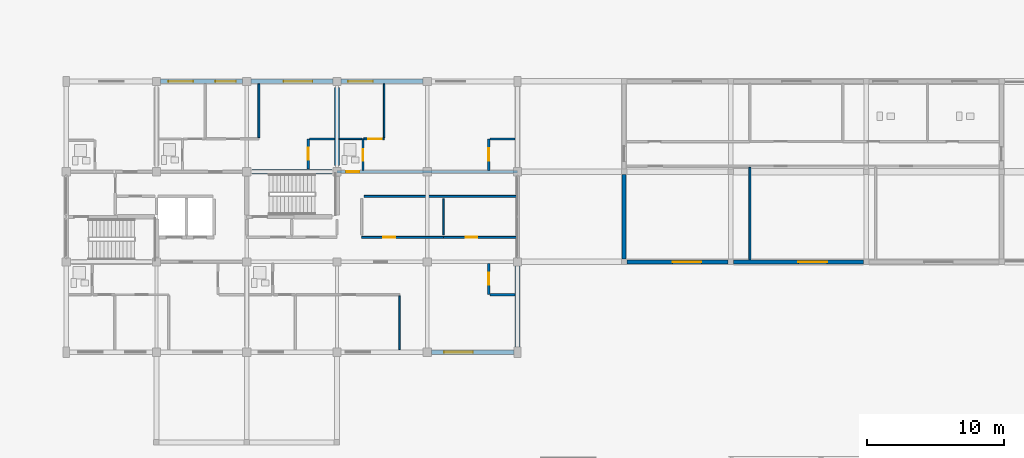
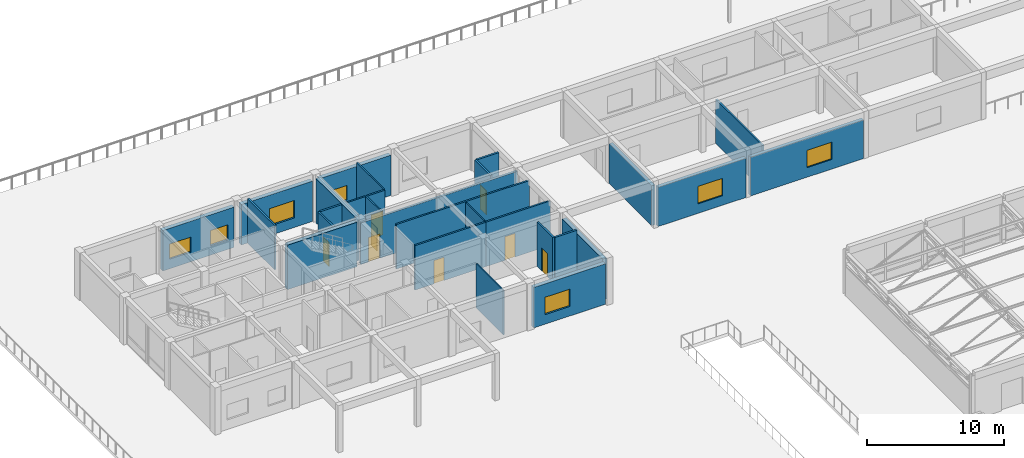
# One storey, part 73 of 92: 28 walls, 8 doors, 7 windows, 15 openings.
"""IFC4 building model written with IfcOpenShell, lengths in metres."""

from ifc_helpers import new_model, si_unit, direction, frame, frame_2d, origin, place, context, subcontext, project, spatial, rectangle, extrude, material, layer, layer_set, type_object, element, fill, save


model = new_model("IFC4")

# Units and contexts
model_context = context("Model", 3, precision=1e-05, world=origin(), true_north=direction((0.0, 1.0)))
body_context = subcontext(model_context, "Body", "Model", "MODEL_VIEW")
ifc_project = project(units=[si_unit("LENGTHUNIT", "METRE"), si_unit("AREAUNIT", "SQUARE_METRE"), si_unit("VOLUMEUNIT", "CUBIC_METRE"), si_unit("PLANEANGLEUNIT", "RADIAN"), si_unit("MASSUNIT", "GRAM", prefix="KILO")], contexts=[model_context])

# Site, building, storey
site_placement = place(None, origin())
site = spatial("IfcSite", under=ifc_project, at=site_placement, CompositionType="ELEMENT")
building_placement = place(site_placement, origin())
building = spatial("IfcBuilding", under=site, at=building_placement, Name="Kernevlak Ridge Housing Community", CompositionType="ELEMENT")
storey_placement = place(building_placement, frame((0.0, 0.0, 4.199951171875)))
storey = spatial("IfcBuildingStorey", under=building, at=storey_placement, Name="L01", CompositionType="ELEMENT", Elevation=4.199951171875)

# Wall, opening, window
ifc_material_1 = material(Name="Concrete block masonry M10", Category="masonry")
ifc_layer_1 = layer(ifc_material_1, 0.280029296875, Name="Concrete block masonry M10")
ifc_layer_set_1 = layer_set([ifc_layer_1], Name="Concrete block masonry M10")
wall_type_1 = type_object("IfcWallType", Name="EW-03", PredefinedType="STANDARD", material=ifc_layer_set_1)
wall_1_placement = place(storey_placement, frame((56.60009765625, 82.60009765625, 0.0), z_axis=(0.0, 0.0, 1.0), x_axis=(1.0, 0.0, 0.0)))
wall_1 = element("IfcWall", 1, at=wall_1_placement, inside=storey, type_object=wall_type_1, Name="Exterior wall EW-03 L01 919", PredefinedType="STANDARD", context=body_context, shape_type="SweptSolid", body=[
    extrude(rectangle(XDim=7.39990234375, YDim=0.280029296875, at=frame_2d((3.699951171875, 0.0))), origin(), (0.0, 0.0, 1.0), 3.5),
])
opening_1_placement = place(wall_1_placement, frame((3.35009765625, 0.0, 0.85009765625)))
opening_1 = element("IfcOpeningElement", 2, at=opening_1_placement, cuts=wall_1, Name="Opening WT-05", PredefinedType="OPENING", context=body_context, shape_type="SweptSolid", body=[
    extrude(rectangle(XDim=2.10009765625, YDim=1.550048828125, at=frame_2d((1.050048828125, 0.77490234375))), frame((0.0, 0.14990234375, 0.0), z_axis=(0.0, -1.0, 0.0), x_axis=(1.0, 0.0, 0.0)), (0.0, 0.0, 1.0), 0.300048828125),
])
ifc_material_2 = material(Name="Aluminium EN AW-6060 anodised and laminated glass", Category="aluminium")
window_type_1 = type_object("IfcWindowType", Name="WT-05", PartitioningType="SINGLE_PANEL", PredefinedType="WINDOW", material=ifc_material_2)
window_1_placement = place(opening_1_placement, origin())
window_1 = element("IfcWindow", 3, at=window_1_placement, inside=storey, type_object=window_type_1, Name="Window WT-05 L01 699", OverallHeight=1.550048828125, OverallWidth=2.10009765625, PartitioningType="SINGLE_PANEL", PredefinedType="WINDOW", context=body_context, shape_type="SweptSolid", body=[
    extrude(rectangle(XDim=2.10009765625, YDim=1.550048828125, at=frame_2d((1.050048828125, 0.77490234375))), frame((0.0, 0.030029296875, 0.0), z_axis=(0.0, -1.0, 0.0), x_axis=(1.0, 0.0, 0.0)), (0.0, 0.0, 1.0), 0.06005859375),
])
fill(opening_1, window_1)

wall_2_placement = place(storey_placement, frame((64.39990234375, 82.60009765625, 0.0), z_axis=(0.0, 0.0, 1.0), x_axis=(1.0, 0.0, 0.0)))
wall_2 = element("IfcWall", 4, at=wall_2_placement, inside=storey, type_object=wall_type_1, Name="Exterior wall EW-03 L01 921", PredefinedType="STANDARD", context=body_context, shape_type="SweptSolid", body=[
    extrude(rectangle(XDim=9.5, YDim=0.280029296875, at=frame_2d((4.75, 0.0))), origin(), (0.0, 0.0, 1.0), 3.449951171875),
])
opening_2_placement = place(wall_2_placement, frame((4.75, 0.0, 0.85009765625)))
opening_2 = element("IfcOpeningElement", 5, at=opening_2_placement, cuts=wall_2, Name="Opening WT-05", PredefinedType="OPENING", context=body_context, shape_type="SweptSolid", body=[
    extrude(rectangle(XDim=2.10009765625, YDim=1.550048828125, at=frame_2d((1.050048828125, 0.77490234375))), frame((0.0, 0.14990234375, 0.0), z_axis=(0.0, -1.0, 0.0), x_axis=(1.0, 0.0, 0.0)), (0.0, 0.0, 1.0), 0.300048828125),
])
window_2_placement = place(opening_2_placement, origin())
window_2 = element("IfcWindow", 6, at=window_2_placement, inside=storey, type_object=window_type_1, Name="Window WT-05 L01 700", OverallHeight=1.550048828125, OverallWidth=2.10009765625, PartitioningType="SINGLE_PANEL", PredefinedType="WINDOW", context=body_context, shape_type="SweptSolid", body=[
    extrude(rectangle(XDim=2.10009765625, YDim=1.550048828125, at=frame_2d((1.050048828125, 0.77490234375))), frame((0.0, 0.030029296875, 0.0), z_axis=(0.0, -1.0, 0.0), x_axis=(1.0, 0.0, 0.0)), (0.0, 0.0, 1.0), 0.06005859375),
])
fill(opening_2, window_2)

# Wall
wall_3_placement = place(storey_placement, frame((56.39990234375, 82.800048828125, 0.0), z_axis=(0.0, 0.0, 1.0), x_axis=(0.0, 1.0, 0.0)))
element("IfcWall", 7, at=wall_3_placement, inside=storey, type_object=wall_type_1, Name="Exterior wall EW-03 L01 925", PredefinedType="STANDARD", context=body_context, shape_type="SweptSolid", body=[
    extrude(rectangle(XDim=6.199951171875, YDim=0.280029296875, at=frame_2d((3.10009765625, 0.0))), origin(), (0.0, 0.0, 1.0), 3.550048828125),
])

# Wall, opening, window
ifc_layer_2 = layer(ifc_material_1, 0.340087890625, Name="Concrete block masonry M10")
ifc_layer_set_2 = layer_set([ifc_layer_2], Name="Concrete block masonry M10")
wall_type_2 = type_object("IfcWallType", Name="EW-04", PredefinedType="STANDARD", material=ifc_layer_set_2)
wall_4_placement = place(storey_placement, frame((42.300048828125, 76.0, 0.0), z_axis=(0.0, 0.0, 1.0), x_axis=(1.0, 0.0, 0.0)))
wall_4 = element("IfcWall", 8, at=wall_4_placement, inside=storey, type_object=wall_type_2, Name="Exterior wall EW-04 L01 19", PredefinedType="STANDARD", context=body_context, shape_type="SweptSolid", body=[
    extrude(rectangle(XDim=6.050048828125, YDim=0.340087890625, at=frame_2d((3.02490234375, 0.0))), origin(), (0.0, 0.0, 1.0), 3.60009765625),
])
opening_3_placement = place(wall_4_placement, frame((0.944091796875, 0.0, 0.85009765625)))
opening_3 = element("IfcOpeningElement", 9, at=opening_3_placement, cuts=wall_4, Name="Opening WT-05", PredefinedType="OPENING", context=body_context, shape_type="SweptSolid", body=[
    extrude(rectangle(XDim=2.10009765625, YDim=1.550048828125, at=frame_2d((1.050048828125, 0.77490234375))), frame((0.0, 0.179931640625, 0.0), z_axis=(0.0, -1.0, 0.0), x_axis=(1.0, 0.0, 0.0)), (0.0, 0.0, 1.0), 0.360107421875),
])
window_3_placement = place(opening_3_placement, origin())
window_3 = element("IfcWindow", 10, at=window_3_placement, inside=storey, type_object=window_type_1, Name="Window WT-05 L01 15", OverallHeight=1.550048828125, OverallWidth=2.10009765625, PartitioningType="SINGLE_PANEL", PredefinedType="WINDOW", context=body_context, shape_type="SweptSolid", body=[
    extrude(rectangle(XDim=2.10009765625, YDim=1.550048828125, at=frame_2d((1.050048828125, 0.77490234375))), frame((0.0, 0.030029296875, 0.0), z_axis=(0.0, -1.0, 0.0), x_axis=(1.0, 0.0, 0.0)), (0.0, 0.0, 1.0), 0.06005859375),
])
fill(opening_3, window_3)

# Wall, openings, windows
wall_5_placement = place(storey_placement, frame((22.5, 95.800048828125, 0.0), z_axis=(0.0, 0.0, 1.0), x_axis=(1.0, 0.0, 0.0)))
wall_5 = element("IfcWall", 11, at=wall_5_placement, inside=storey, type_object=wall_type_2, Name="Exterior wall EW-04 L01 21", PredefinedType="STANDARD", context=body_context, shape_type="SweptSolid", body=[
    extrude(rectangle(XDim=6.0, YDim=0.340087890625, at=frame_2d((3.0, 0.0))), origin(), (0.0, 0.0, 1.0), 3.60009765625),
])
opening_4_placement = place(wall_5_placement, frame((0.574951171875, 0.0, 0.85009765625)))
opening_4 = element("IfcOpeningElement", 12, at=opening_4_placement, cuts=wall_5, Name="Opening WT-03", PredefinedType="OPENING", context=body_context, shape_type="SweptSolid", body=[
    extrude(rectangle(XDim=1.800048828125, YDim=1.35009765625, at=frame_2d((0.89990234375, 0.675048828125))), frame((0.0, 0.179931640625, 0.0), z_axis=(0.0, -1.0, 0.0), x_axis=(1.0, 0.0, 0.0)), (0.0, 0.0, 1.0), 0.360107421875),
])
opening_5_placement = place(wall_5_placement, frame((4.0, 0.0, 0.85009765625)))
opening_5 = element("IfcOpeningElement", 13, at=opening_5_placement, cuts=wall_5, Name="Opening WT-02", PredefinedType="OPENING", context=body_context, shape_type="SweptSolid", body=[
    extrude(rectangle(XDim=1.5, YDim=1.35009765625, at=frame_2d((0.75, 0.675048828125))), frame((0.0, 0.179931640625, 0.0), z_axis=(0.0, -1.0, 0.0), x_axis=(1.0, 0.0, 0.0)), (0.0, 0.0, 1.0), 0.360107421875),
])
window_type_2 = type_object("IfcWindowType", Name="WT-02", PartitioningType="SINGLE_PANEL", PredefinedType="WINDOW", material=ifc_material_2)
window_4_placement = place(opening_5_placement, origin())
window_4 = element("IfcWindow", 14, at=window_4_placement, inside=storey, type_object=window_type_2, Name="Window WT-02 L01 18", OverallHeight=1.35009765625, OverallWidth=1.5, PartitioningType="SINGLE_PANEL", PredefinedType="WINDOW", context=body_context, shape_type="SweptSolid", body=[
    extrude(rectangle(XDim=1.5, YDim=1.35009765625, at=frame_2d((0.75, 0.675048828125))), frame((0.0, 0.030029296875, 0.0), z_axis=(0.0, -1.0, 0.0), x_axis=(1.0, 0.0, 0.0)), (0.0, 0.0, 1.0), 0.06005859375),
])
fill(opening_5, window_4)
window_type_3 = type_object("IfcWindowType", Name="WT-03", PartitioningType="SINGLE_PANEL", PredefinedType="WINDOW", material=ifc_material_2)
window_5_placement = place(opening_4_placement, origin())
window_5 = element("IfcWindow", 15, at=window_5_placement, inside=storey, type_object=window_type_3, Name="Window WT-03 L01 17", OverallHeight=1.35009765625, OverallWidth=1.800048828125, PartitioningType="SINGLE_PANEL", PredefinedType="WINDOW", context=body_context, shape_type="SweptSolid", body=[
    extrude(rectangle(XDim=1.800048828125, YDim=1.35009765625, at=frame_2d((0.89990234375, 0.675048828125))), frame((0.0, 0.030029296875, 0.0), z_axis=(0.0, -1.0, 0.0), x_axis=(1.0, 0.0, 0.0)), (0.0, 0.0, 1.0), 0.06005859375),
])
fill(opening_4, window_5)

# Wall, opening, window
wall_6_placement = place(storey_placement, frame((29.10009765625, 95.800048828125, 0.0), z_axis=(0.0, 0.0, 1.0), x_axis=(1.0, 0.0, 0.0)))
wall_6 = element("IfcWall", 16, at=wall_6_placement, inside=storey, type_object=wall_type_2, Name="Exterior wall EW-04 L01 22", PredefinedType="STANDARD", context=body_context, shape_type="SweptSolid", body=[
    extrude(rectangle(XDim=6.0, YDim=0.340087890625, at=frame_2d((3.0, 0.0))), origin(), (0.0, 0.0, 1.0), 3.60009765625),
])
opening_6_placement = place(wall_6_placement, frame((2.39599609375, 0.0, 0.85009765625)))
opening_6 = element("IfcOpeningElement", 17, at=opening_6_placement, cuts=wall_6, Name="Opening WT-05", PredefinedType="OPENING", context=body_context, shape_type="SweptSolid", body=[
    extrude(rectangle(XDim=2.10009765625, YDim=1.550048828125, at=frame_2d((1.050048828125, 0.77490234375))), frame((0.0, 0.179931640625, 0.0), z_axis=(0.0, -1.0, 0.0), x_axis=(1.0, 0.0, 0.0)), (0.0, 0.0, 1.0), 0.360107421875),
])
window_6_placement = place(opening_6_placement, origin())
window_6 = element("IfcWindow", 18, at=window_6_placement, inside=storey, type_object=window_type_1, Name="Window WT-05 L01 19", OverallHeight=1.550048828125, OverallWidth=2.10009765625, PartitioningType="SINGLE_PANEL", PredefinedType="WINDOW", context=body_context, shape_type="SweptSolid", body=[
    extrude(rectangle(XDim=2.10009765625, YDim=1.550048828125, at=frame_2d((1.050048828125, 0.77490234375))), frame((0.0, 0.030029296875, 0.0), z_axis=(0.0, -1.0, 0.0), x_axis=(1.0, 0.0, 0.0)), (0.0, 0.0, 1.0), 0.06005859375),
])
fill(opening_6, window_6)

wall_7_placement = place(storey_placement, frame((35.699951171875, 95.800048828125, 0.0), z_axis=(0.0, 0.0, 1.0), x_axis=(1.0, 0.0, 0.0)))
wall_7 = element("IfcWall", 19, at=wall_7_placement, inside=storey, type_object=wall_type_2, Name="Exterior wall EW-04 L01 23", PredefinedType="STANDARD", context=body_context, shape_type="SweptSolid", body=[
    extrude(rectangle(XDim=6.0, YDim=0.340087890625, at=frame_2d((3.0, 0.0))), origin(), (0.0, 0.0, 1.0), 3.60009765625),
])
opening_7_placement = place(wall_7_placement, frame((0.52490234375, 0.0, 0.85009765625)))
opening_7 = element("IfcOpeningElement", 20, at=opening_7_placement, cuts=wall_7, Name="Opening WT-03", PredefinedType="OPENING", context=body_context, shape_type="SweptSolid", body=[
    extrude(rectangle(XDim=1.800048828125, YDim=1.35009765625, at=frame_2d((0.89990234375, 0.675048828125))), frame((0.0, 0.179931640625, 0.0), z_axis=(0.0, -1.0, 0.0), x_axis=(1.0, 0.0, 0.0)), (0.0, 0.0, 1.0), 0.360107421875),
])
window_7_placement = place(opening_7_placement, origin())
window_7 = element("IfcWindow", 21, at=window_7_placement, inside=storey, type_object=window_type_3, Name="Window WT-03 L01 20", OverallHeight=1.35009765625, OverallWidth=1.800048828125, PartitioningType="SINGLE_PANEL", PredefinedType="WINDOW", context=body_context, shape_type="SweptSolid", body=[
    extrude(rectangle(XDim=1.800048828125, YDim=1.35009765625, at=frame_2d((0.89990234375, 0.675048828125))), frame((0.0, 0.030029296875, 0.0), z_axis=(0.0, -1.0, 0.0), x_axis=(1.0, 0.0, 0.0)), (0.0, 0.0, 1.0), 0.06005859375),
])
fill(opening_7, window_7)

# Wall
wall_8_placement = place(storey_placement, frame((48.60009765625, 76.375, 0.0), z_axis=(0.0, 0.0, 1.0), x_axis=(0.0, 1.0, 0.0)))
element("IfcWall", 22, at=wall_8_placement, inside=storey, type_object=wall_type_2, Name="Exterior wall EW-04 L01 27", PredefinedType="STANDARD", context=body_context, shape_type="SweptSolid", body=[
    extrude(rectangle(XDim=5.925048828125, YDim=0.340087890625, at=frame_2d((2.96240234375, 0.0))), origin(), (0.0, 0.0, 1.0), 3.650146484375),
])

# Wall, opening, door
ifc_layer_3 = layer(ifc_material_1, 0.175048828125, Name="Concrete block masonry M10")
ifc_layer_set_3 = layer_set([ifc_layer_3], Name="Concrete block masonry M10")
wall_type_3 = type_object("IfcWallType", Name="PW-02", PredefinedType="PARTITIONING", material=ifc_layer_set_3)
wall_9_placement = place(storey_placement, frame((35.39990234375, 89.199951171875, 0.0), z_axis=(0.0, 0.0, 1.0), x_axis=(1.0, 0.0, 0.0)))
wall_9 = element("IfcWall", 23, at=wall_9_placement, inside=storey, type_object=wall_type_3, Name="Interior wall PW-02 WAL-INT-L01-0125", PredefinedType="PARTITIONING", context=body_context, shape_type="SweptSolid", body=[
    extrude(rectangle(XDim=13.2001953125, YDim=0.175048828125, at=frame_2d((6.60009765625, 0.0))), origin(), (0.0, 0.0, 1.0), 3.699951171875),
])
opening_8_placement = place(wall_9_placement, frame((0.669921875, 0.0, 0.0)))
opening_8 = element("IfcOpeningElement", 24, at=opening_8_placement, cuts=wall_9, Name="Opening D061", PredefinedType="OPENING", context=body_context, shape_type="SweptSolid", body=[
    extrude(rectangle(XDim=0.9599609375, YDim=2.179931640625, at=frame_2d((0.47998046875, 1.08984375))), frame((0.0, 0.097412109375, 0.0), z_axis=(0.0, -1.0, 0.0), x_axis=(1.0, 0.0, 0.0)), (0.0, 0.0, 1.0), 0.195068359375),
])
ifc_material_3 = material(Name="Hardwood timber solid-core fire leaf", Category="wood")
door_type_1 = type_object("IfcDoorType", Name="DT-29", OperationType="NOTDEFINED", PredefinedType="DOOR", material=ifc_material_3)
door_1_placement = place(opening_8_placement, origin())
door_1 = element("IfcDoor", 25, at=door_1_placement, inside=storey, type_object=door_type_1, Name="Flat A0123 entrance fire door D061", OperationType="SINGLE_SWING_LEFT", OverallHeight=2.179931640625, OverallWidth=0.9599609375, PredefinedType="DOOR", context=body_context, shape_type="SweptSolid", body=[
    extrude(rectangle(XDim=0.9599609375, YDim=2.179931640625, at=frame_2d((0.47998046875, 1.08984375))), frame((0.0, 0.02490234375, 0.0), z_axis=(0.0, -1.0, 0.0), x_axis=(1.0, 0.0, 0.0)), (0.0, 0.0, 1.0), 0.050048828125),
])
fill(opening_8, door_1)

ifc_layer_4 = layer(ifc_material_1, 0.14501953125, Name="Concrete block masonry M10")
ifc_layer_set_4 = layer_set([ifc_layer_4], Name="Concrete block masonry M10")
wall_type_4 = type_object("IfcWallType", Name="PW-03", PredefinedType="PARTITIONING", material=ifc_layer_set_4)
wall_10_placement = place(storey_placement, frame((37.199951171875, 84.39990234375, 0.0), z_axis=(0.0, 0.0, 1.0), x_axis=(1.0, 0.0, 0.0)))
wall_10 = element("IfcWall", 26, at=wall_10_placement, inside=storey, type_object=wall_type_4, Name="Interior wall PW-03 WAL-INT-L01-0089", PredefinedType="PARTITIONING", context=body_context, shape_type="SweptSolid", body=[
    extrude(rectangle(XDim=6.0, YDim=0.14501953125, at=frame_2d((3.0, 0.0))), origin(), (0.0, 0.0, 1.0), 3.9599609375),
])
opening_9_placement = place(wall_10_placement, frame((1.60009765625, 0.0, 0.0)))
opening_9 = element("IfcOpeningElement", 27, at=opening_9_placement, cuts=wall_10, Name="Opening D042", PredefinedType="OPENING", context=body_context, shape_type="SweptSolid", body=[
    extrude(rectangle(XDim=0.8701171875, YDim=2.080078125, at=frame_2d((0.43505859375, 1.0400390625))), frame((0.0, 0.08251953125, 0.0), z_axis=(0.0, -1.0, 0.0), x_axis=(1.0, 0.0, 0.0)), (0.0, 0.0, 1.0), 0.1650390625),
])
ifc_material_4 = material(Name="Hardwood timber leaf", Category="wood")
door_type_2 = type_object("IfcDoorType", Name="DT-32", OperationType="NOTDEFINED", PredefinedType="DOOR", material=ifc_material_4)
door_2_placement = place(opening_9_placement, origin())
door_2 = element("IfcDoor", 28, at=door_2_placement, inside=storey, type_object=door_type_2, Name="Block A Laundry room door D042", OperationType="SINGLE_SWING_RIGHT", OverallHeight=2.080078125, OverallWidth=0.8701171875, PredefinedType="DOOR", context=body_context, shape_type="SweptSolid", body=[
    extrude(rectangle(XDim=0.8701171875, YDim=2.080078125, at=frame_2d((0.43505859375, 1.0400390625))), frame((0.0, 0.02490234375, 0.0), z_axis=(0.0, -1.0, 0.0), x_axis=(1.0, 0.0, 0.0)), (0.0, 0.0, 1.0), 0.050048828125),
])
fill(opening_9, door_2)

wall_11_placement = place(storey_placement, frame((43.199951171875, 84.39990234375, 0.0), z_axis=(0.0, 0.0, 1.0), x_axis=(1.0, 0.0, 0.0)))
wall_11 = element("IfcWall", 29, at=wall_11_placement, inside=storey, type_object=wall_type_4, Name="Interior wall PW-03 WAL-INT-L01-0090", PredefinedType="PARTITIONING", context=body_context, shape_type="SweptSolid", body=[
    extrude(rectangle(XDim=5.400146484375, YDim=0.14501953125, at=frame_2d((2.7001953125, 0.0))), origin(), (0.0, 0.0, 1.0), 3.9599609375),
])
opening_10_placement = place(wall_11_placement, frame((1.60009765625, 0.0, 0.0)))
opening_10 = element("IfcOpeningElement", 30, at=opening_10_placement, cuts=wall_11, Name="Opening D043", PredefinedType="OPENING", context=body_context, shape_type="SweptSolid", body=[
    extrude(rectangle(XDim=0.85009765625, YDim=2.10009765625, at=frame_2d((0.425048828125, 1.050048828125))), frame((0.0, 0.08251953125, 0.0), z_axis=(0.0, -1.0, 0.0), x_axis=(1.0, 0.0, 0.0)), (0.0, 0.0, 1.0), 0.1650390625),
])
door_type_3 = type_object("IfcDoorType", Name="DT-03", OperationType="NOTDEFINED", PredefinedType="DOOR", material=ifc_material_4)
door_3_placement = place(opening_10_placement, origin())
door_3 = element("IfcDoor", 31, at=door_3_placement, inside=storey, type_object=door_type_3, Name="Block A Study room door D043", OperationType="SINGLE_SWING_LEFT", OverallHeight=2.10009765625, OverallWidth=0.85009765625, PredefinedType="DOOR", context=body_context, shape_type="SweptSolid", body=[
    extrude(rectangle(XDim=0.85009765625, YDim=2.10009765625, at=frame_2d((0.425048828125, 1.050048828125))), frame((0.0, 0.02490234375, 0.0), z_axis=(0.0, -1.0, 0.0), x_axis=(1.0, 0.0, 0.0)), (0.0, 0.0, 1.0), 0.050048828125),
])
fill(opening_10, door_3)

# Walls
wall_12_placement = place(storey_placement, frame((37.3798828125, 87.39990234375, 0.0), z_axis=(0.0, 0.0, 1.0), x_axis=(1.0, 0.0, 0.0)))
element("IfcWall", 32, at=wall_12_placement, inside=storey, type_object=wall_type_4, Name="Interior wall PW-03 WAL-INT-L01-0092", PredefinedType="PARTITIONING", context=body_context, shape_type="SweptSolid", body=[
    extrude(rectangle(XDim=11.2001953125, YDim=0.14501953125, at=frame_2d((5.60009765625, 0.0))), origin(), (0.0, 0.0, 1.0), 3.9599609375),
])
wall_13_placement = place(storey_placement, frame((29.69189453125, 91.6826171875, 0.0), z_axis=(0.0, 0.0, 1.0), x_axis=(0.0, 1.0, 0.0)))
element("IfcWall", 33, at=wall_13_placement, inside=storey, type_object=wall_type_4, Name="Interior wall PW-03 WAL-INT-L01-0124", PredefinedType="PARTITIONING", context=body_context, shape_type="SweptSolid", body=[
    extrude(rectangle(XDim=3.9375, YDim=0.14501953125, at=frame_2d((1.96875, 0.0))), origin(), (0.0, 0.0, 1.0), 3.9599609375),
])

# Wall, opening, door
wall_14_placement = place(storey_placement, frame((37.37255859375, 91.60009765625, 0.0), z_axis=(0.0, 0.0, 1.0), x_axis=(1.0, 0.0, 0.0)))
wall_14 = element("IfcWall", 34, at=wall_14_placement, inside=storey, type_object=wall_type_4, Name="Interior wall PW-03 WAL-INT-L01-0130", PredefinedType="PARTITIONING", context=body_context, shape_type="SweptSolid", body=[
    extrude(rectangle(XDim=1.4775390625, YDim=0.14501953125, at=frame_2d((0.73876953125, 0.0))), origin(), (0.0, 0.0, 1.0), 3.9599609375),
])
opening_11_placement = place(wall_14_placement, frame((0.327392578125, 0.0, 0.0)))
opening_11 = element("IfcOpeningElement", 35, at=opening_11_placement, cuts=wall_14, Name="Opening D064", PredefinedType="OPENING", context=body_context, shape_type="SweptSolid", body=[
    extrude(rectangle(XDim=0.97998046875, YDim=2.1201171875, at=frame_2d((0.489990234375, 1.06005859375))), frame((0.0, 0.08251953125, 0.0), z_axis=(0.0, -1.0, 0.0), x_axis=(1.0, 0.0, 0.0)), (0.0, 0.0, 1.0), 0.1650390625),
])
door_type_4 = type_object("IfcDoorType", Name="DT-24", OperationType="NOTDEFINED", PredefinedType="DOOR", material=ifc_material_4)
door_4_placement = place(opening_11_placement, origin())
door_4 = element("IfcDoor", 36, at=door_4_placement, inside=storey, type_object=door_type_4, Name="Flat A0123 bedroom door D064", OperationType="SINGLE_SWING_RIGHT", OverallHeight=2.1201171875, OverallWidth=0.97998046875, PredefinedType="DOOR", context=body_context, shape_type="SweptSolid", body=[
    extrude(rectangle(XDim=0.97998046875, YDim=2.1201171875, at=frame_2d((0.489990234375, 1.06005859375))), frame((0.0, 0.02490234375, 0.0), z_axis=(0.0, -1.0, 0.0), x_axis=(1.0, 0.0, 0.0)), (0.0, 0.0, 1.0), 0.050048828125),
])
fill(opening_11, door_4)

# Wall
wall_15_placement = place(storey_placement, frame((65.60009765625, 82.75, 0.0), z_axis=(0.0, 0.0, 1.0), x_axis=(0.0, 1.0, 0.0)))
element("IfcWall", 37, at=wall_15_placement, inside=storey, type_object=wall_type_4, Name="Interior wall PW-03 WAL-INT-L01-3582", PredefinedType="PARTITIONING", context=body_context, shape_type="SweptSolid", body=[
    extrude(rectangle(XDim=6.767578125, YDim=0.14501953125, at=frame_2d((3.3837890625, 0.0))), origin(), (0.0, 0.0, 1.0), 3.93994140625),
])

# Wall, opening, door
ifc_material_5 = material(Name="Gypsum plasterboard EN 520", Category="gypsum")
ifc_layer_5 = layer(ifc_material_5, 0.125, Name="Gypsum plasterboard EN 520")
ifc_layer_set_5 = layer_set([ifc_layer_5], Name="Gypsum plasterboard EN 520")
wall_type_5 = type_object("IfcWallType", Name="PW-04", PredefinedType="PARTITIONING", material=ifc_layer_set_5)
wall_16_placement = place(storey_placement, frame((37.300048828125, 89.297607421875, 0.0), z_axis=(0.0, 0.0, 1.0), x_axis=(0.0, 1.0, 0.0)))
wall_16 = element("IfcWall", 38, at=wall_16_placement, inside=storey, type_object=wall_type_5, Name="Interior wall PW-04 WAL-INT-L01-0126", PredefinedType="PARTITIONING", context=body_context, shape_type="SweptSolid", body=[
    extrude(rectangle(XDim=2.302490234375, YDim=0.125, at=frame_2d((1.1513671875, 0.0))), origin(), (0.0, 0.0, 1.0), 3.9599609375),
])
opening_12_placement = place(wall_16_placement, frame((0.699951171875, 0.0, 0.0)))
opening_12 = element("IfcOpeningElement", 39, at=opening_12_placement, cuts=wall_16, Name="Opening D062", PredefinedType="OPENING", context=body_context, shape_type="SweptSolid", body=[
    extrude(rectangle(XDim=0.85009765625, YDim=2.0400390625, at=frame_2d((0.425048828125, 1.02001953125))), frame((0.0, 0.072509765625, 0.0), z_axis=(0.0, -1.0, 0.0), x_axis=(1.0, 0.0, 0.0)), (0.0, 0.0, 1.0), 0.14501953125),
])
ifc_material_6 = material(Name="Hardwood timber moisture-resistant leaf", Category="wood")
door_type_5 = type_object("IfcDoorType", Name="DT-04", OperationType="NOTDEFINED", PredefinedType="DOOR", material=ifc_material_6)
door_5_placement = place(opening_12_placement, origin())
door_5 = element("IfcDoor", 40, at=door_5_placement, inside=storey, type_object=door_type_5, Name="Flat A0123 bathroom door D062", OperationType="SINGLE_SWING_RIGHT", OverallHeight=2.0400390625, OverallWidth=0.85009765625, PredefinedType="DOOR", context=body_context, shape_type="SweptSolid", body=[
    extrude(rectangle(XDim=0.85009765625, YDim=2.0400390625, at=frame_2d((0.425048828125, 1.02001953125))), frame((0.0, 0.02490234375, 0.0), z_axis=(0.0, -1.0, 0.0), x_axis=(1.0, 0.0, 0.0)), (0.0, 0.0, 1.0), 0.050048828125),
])
fill(opening_12, door_5)

# Wall
wall_17_placement = place(storey_placement, frame((35.5849609375, 91.60009765625, 0.0), z_axis=(0.0, 0.0, 1.0), x_axis=(1.0, 0.0, 0.0)))
element("IfcWall", 41, at=wall_17_placement, inside=storey, type_object=wall_type_5, Name="Interior wall PW-04 WAL-INT-L01-0127", PredefinedType="PARTITIONING", context=body_context, shape_type="SweptSolid", body=[
    extrude(rectangle(XDim=1.635009765625, YDim=0.125, at=frame_2d((0.8173828125, 0.0))), origin(), (0.0, 0.0, 1.0), 3.9599609375),
])

# Wall, opening, door
ifc_layer_6 = layer(ifc_material_5, 0.155029296875, Name="Gypsum plasterboard EN 520")
ifc_layer_set_6 = layer_set([ifc_layer_6], Name="Gypsum plasterboard EN 520")
wall_type_6 = type_object("IfcWallType", Name="PW-05", PredefinedType="PARTITIONING", material=ifc_layer_set_6)
wall_18_placement = place(storey_placement, frame((46.5, 82.50244140625, 0.0), z_axis=(0.0, 0.0, 1.0), x_axis=(0.0, -1.0, 0.0)))
wall_18 = element("IfcWall", 42, at=wall_18_placement, inside=storey, type_object=wall_type_6, Name="Interior wall PW-05 WAL-INT-L01-0106", PredefinedType="PARTITIONING", context=body_context, shape_type="SweptSolid", body=[
    extrude(rectangle(XDim=2.302490234375, YDim=0.155029296875, at=frame_2d((1.1513671875, 0.0))), origin(), (0.0, 0.0, 1.0), 3.9599609375),
])
opening_13_placement = place(wall_18_placement, frame((0.699951171875, 0.0, 0.0)))
opening_13 = element("IfcOpeningElement", 43, at=opening_13_placement, cuts=wall_18, Name="Opening D051", PredefinedType="OPENING", context=body_context, shape_type="SweptSolid", body=[
    extrude(rectangle(XDim=0.8701171875, YDim=2.080078125, at=frame_2d((0.43505859375, 1.0400390625))), frame((0.0, 0.08740234375, 0.0), z_axis=(0.0, -1.0, 0.0), x_axis=(1.0, 0.0, 0.0)), (0.0, 0.0, 1.0), 0.175048828125),
])
door_6_placement = place(opening_13_placement, origin())
door_6 = element("IfcDoor", 44, at=door_6_placement, inside=storey, type_object=door_type_2, Name="Flat A0112 kitchen door D051", OperationType="SINGLE_SWING_LEFT", OverallHeight=2.080078125, OverallWidth=0.8701171875, PredefinedType="DOOR", context=body_context, shape_type="SweptSolid", body=[
    extrude(rectangle(XDim=0.8701171875, YDim=2.080078125, at=frame_2d((0.43505859375, 1.0400390625))), frame((0.0, 0.02490234375, 0.0), z_axis=(0.0, -1.0, 0.0), x_axis=(1.0, 0.0, 0.0)), (0.0, 0.0, 1.0), 0.050048828125),
])
fill(opening_13, door_6)

# Wall
wall_19_placement = place(storey_placement, frame((46.58740234375, 80.199951171875, 0.0), z_axis=(0.0, 0.0, 1.0), x_axis=(1.0, 0.0, 0.0)))
element("IfcWall", 45, at=wall_19_placement, inside=storey, type_object=wall_type_6, Name="Interior wall PW-05 WAL-INT-L01-0107", PredefinedType="PARTITIONING", context=body_context, shape_type="SweptSolid", body=[
    extrude(rectangle(XDim=1.83251953125, YDim=0.155029296875, at=frame_2d((0.916259765625, 0.0))), origin(), (0.0, 0.0, 1.0), 3.9599609375),
])

# Wall, opening, door
wall_20_placement = place(storey_placement, frame((33.300048828125, 89.385009765625, 0.0), z_axis=(0.0, 0.0, 1.0), x_axis=(0.0, 1.0, 0.0)))
wall_20 = element("IfcWall", 46, at=wall_20_placement, inside=storey, type_object=wall_type_6, Name="Interior wall PW-05 WAL-INT-L01-0119", PredefinedType="PARTITIONING", context=body_context, shape_type="SweptSolid", body=[
    extrude(rectangle(XDim=2.215087890625, YDim=0.155029296875, at=frame_2d((1.107421875, 0.0))), origin(), (0.0, 0.0, 1.0), 3.9599609375),
])
opening_14_placement = place(wall_20_placement, frame((0.699951171875, 0.0, 0.0)))
opening_14 = element("IfcOpeningElement", 47, at=opening_14_placement, cuts=wall_20, Name="Opening D058", PredefinedType="OPENING", context=body_context, shape_type="SweptSolid", body=[
    extrude(rectangle(XDim=0.860107421875, YDim=2.1201171875, at=frame_2d((0.43017578125, 1.06005859375))), frame((0.0, 0.08740234375, 0.0), z_axis=(0.0, -1.0, 0.0), x_axis=(1.0, 0.0, 0.0)), (0.0, 0.0, 1.0), 0.175048828125),
])
door_type_6 = type_object("IfcDoorType", Name="DT-28", OperationType="NOTDEFINED", PredefinedType="DOOR", material=ifc_material_4)
door_7_placement = place(opening_14_placement, origin())
door_7 = element("IfcDoor", 48, at=door_7_placement, inside=storey, type_object=door_type_6, Name="Flat A0122 kitchen door D058", OperationType="SINGLE_SWING_RIGHT", OverallHeight=2.1201171875, OverallWidth=0.860107421875, PredefinedType="DOOR", context=body_context, shape_type="SweptSolid", body=[
    extrude(rectangle(XDim=0.860107421875, YDim=2.1201171875, at=frame_2d((0.43017578125, 1.06005859375))), frame((0.0, 0.02490234375, 0.0), z_axis=(0.0, -1.0, 0.0), x_axis=(1.0, 0.0, 0.0)), (0.0, 0.0, 1.0), 0.050048828125),
])
fill(opening_14, door_7)

# Wall
wall_21_placement = place(storey_placement, frame((33.387451171875, 91.60009765625, 0.0), z_axis=(0.0, 0.0, 1.0), x_axis=(1.0, 0.0, 0.0)))
element("IfcWall", 49, at=wall_21_placement, inside=storey, type_object=wall_type_6, Name="Interior wall PW-05 WAL-INT-L01-0120", PredefinedType="PARTITIONING", context=body_context, shape_type="SweptSolid", body=[
    extrude(rectangle(XDim=1.82763671875, YDim=0.155029296875, at=frame_2d((0.913818359375, 0.0))), origin(), (0.0, 0.0, 1.0), 3.9599609375),
])

# Wall, opening, door
wall_22_placement = place(storey_placement, frame((46.5, 89.297607421875, 0.0), z_axis=(0.0, 0.0, 1.0), x_axis=(0.0, 1.0, 0.0)))
wall_22 = element("IfcWall", 50, at=wall_22_placement, inside=storey, type_object=wall_type_6, Name="Interior wall PW-05 WAL-INT-L01-0128", PredefinedType="PARTITIONING", context=body_context, shape_type="SweptSolid", body=[
    extrude(rectangle(XDim=2.302490234375, YDim=0.155029296875, at=frame_2d((1.1513671875, 0.0))), origin(), (0.0, 0.0, 1.0), 3.9599609375),
])
opening_15_placement = place(wall_22_placement, frame((0.699951171875, 0.0, 0.0)))
opening_15 = element("IfcOpeningElement", 51, at=opening_15_placement, cuts=wall_22, Name="Opening D063", PredefinedType="OPENING", context=body_context, shape_type="SweptSolid", body=[
    extrude(rectangle(XDim=0.89990234375, YDim=2.159912109375, at=frame_2d((0.449951171875, 1.080078125))), frame((0.0, 0.08740234375, 0.0), z_axis=(0.0, -1.0, 0.0), x_axis=(1.0, 0.0, 0.0)), (0.0, 0.0, 1.0), 0.175048828125),
])
door_type_7 = type_object("IfcDoorType", Name="DT-22", OperationType="NOTDEFINED", PredefinedType="DOOR", material=ifc_material_4)
door_8_placement = place(opening_15_placement, origin())
door_8 = element("IfcDoor", 52, at=door_8_placement, inside=storey, type_object=door_type_7, Name="Flat A0123 kitchen door D063", OperationType="SINGLE_SWING_LEFT", OverallHeight=2.159912109375, OverallWidth=0.89990234375, PredefinedType="DOOR", context=body_context, shape_type="SweptSolid", body=[
    extrude(rectangle(XDim=0.89990234375, YDim=2.159912109375, at=frame_2d((0.449951171875, 1.080078125))), frame((0.0, 0.02490234375, 0.0), z_axis=(0.0, -1.0, 0.0), x_axis=(1.0, 0.0, 0.0)), (0.0, 0.0, 1.0), 0.050048828125),
])
fill(opening_15, door_8)

# Walls
wall_23_placement = place(storey_placement, frame((46.58740234375, 91.60009765625, 0.0), z_axis=(0.0, 0.0, 1.0), x_axis=(1.0, 0.0, 0.0)))
element("IfcWall", 53, at=wall_23_placement, inside=storey, type_object=wall_type_6, Name="Interior wall PW-05 WAL-INT-L01-0129", PredefinedType="PARTITIONING", context=body_context, shape_type="SweptSolid", body=[
    extrude(rectangle(XDim=1.83251953125, YDim=0.155029296875, at=frame_2d((0.916259765625, 0.0))), origin(), (0.0, 0.0, 1.0), 3.9599609375),
])
ifc_layer_7 = layer(ifc_material_5, 0.10498046875, Name="Gypsum plasterboard EN 520")
ifc_layer_set_7 = layer_set([ifc_layer_7], Name="Gypsum plasterboard EN 520")
wall_type_7 = type_object("IfcWallType", Name="PW-06", PredefinedType="PARTITIONING", material=ifc_layer_set_7)
wall_24_placement = place(storey_placement, frame((43.199951171875, 84.580078125, 0.0), z_axis=(0.0, 0.0, 1.0), x_axis=(0.0, 1.0, 0.0)))
element("IfcWall", 54, at=wall_24_placement, inside=storey, type_object=wall_type_7, Name="Interior wall PW-06 WAL-INT-L01-0091", PredefinedType="PARTITIONING", context=body_context, shape_type="SweptSolid", body=[
    extrude(rectangle(XDim=2.639892578125, YDim=0.10498046875, at=frame_2d((1.31982421875, 0.0))), origin(), (0.0, 0.0, 1.0), 3.9599609375),
])
for number, where, z_axis, x_axis, name in (
    (55, (39.988037109375, 80.117431640625, 0.0), (0.0, 0.0, 1.0), (0.0, -1.0, 0.0), "Interior wall PW-06 WAL-INT-L01-0111"),
    (56, (38.85009765625, 91.6826171875, 0.0), (0.0, 0.0, 1.0), (0.0, 1.0, 0.0), "Interior wall PW-06 WAL-INT-L01-0131"),
):
    element("IfcWall", number, at=place(storey_placement, frame(where, z_axis=z_axis, x_axis=x_axis)), inside=storey, type_object=wall_type_7, Name=name, PredefinedType="PARTITIONING", context=body_context, shape_type="SweptSolid", body=[
        extrude(rectangle(XDim=3.9375, YDim=0.10498046875, at=frame_2d((1.96875, 0.0))), origin(), (0.0, 0.0, 1.0), 3.9599609375),
    ])
ifc_material_7 = material(Name="Concrete C40/50", Category="concrete")
ifc_layer_8 = layer(ifc_material_7, 0.35009765625, Name="Concrete C40/50")
ifc_layer_set_8 = layer_set([ifc_layer_8], Name="Concrete C40/50")
wall_type_8 = type_object("IfcWallType", Name="SW-01", PredefinedType="SHEAR", material=ifc_layer_set_8)
wall_25_placement = place(storey_placement, frame((29.179931640625, 89.199951171875, 0.0), z_axis=(0.0, 0.0, 1.0), x_axis=(1.0, 0.0, 0.0)))
element("IfcWall", 57, at=wall_25_placement, inside=storey, type_object=wall_type_8, Name="Shear wall SW-01 Block A L01 24", PredefinedType="SHEAR", context=body_context, shape_type="SweptSolid", body=[
    extrude(rectangle(XDim=5.840087890625, YDim=0.35009765625, at=frame_2d((2.919921875, 0.0))), origin(), (0.0, 0.0, 1.0), 3.9599609375),
])
wall_26_placement = place(storey_placement, frame((35.39990234375, 89.64990234375, 0.0), z_axis=(0.0, 0.0, 1.0), x_axis=(0.0, 1.0, 0.0)))
element("IfcWall", 58, at=wall_26_placement, inside=storey, type_object=wall_type_8, Name="Shear wall SW-01 Block A L01 30", PredefinedType="SHEAR", context=body_context, shape_type="SweptSolid", body=[
    extrude(rectangle(XDim=5.7001953125, YDim=0.35009765625, at=frame_2d((2.85009765625, 0.0))), origin(), (0.0, 0.0, 1.0), 3.9599609375),
])

save(model, "model.ifc")
